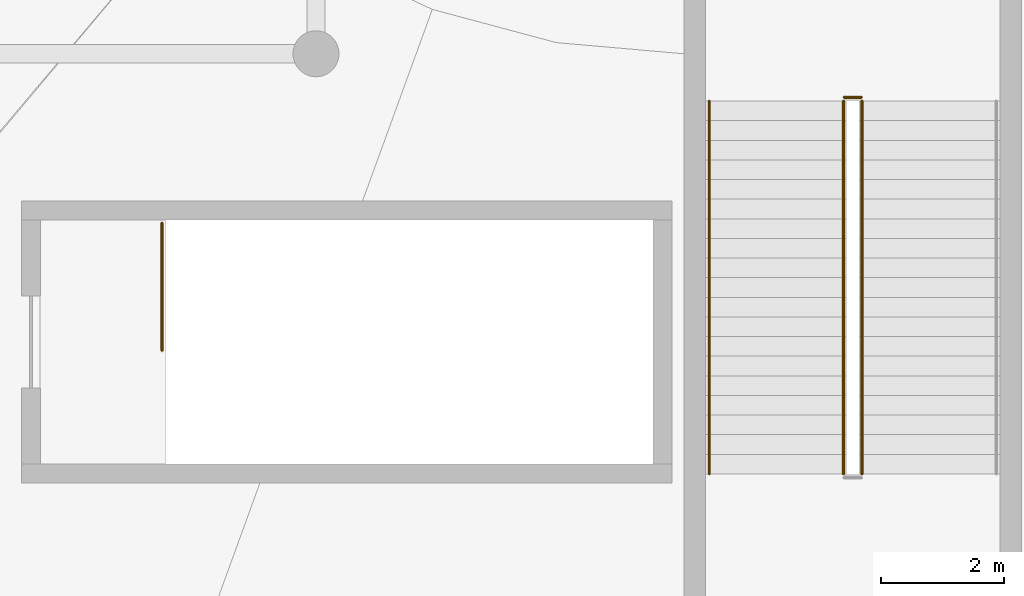
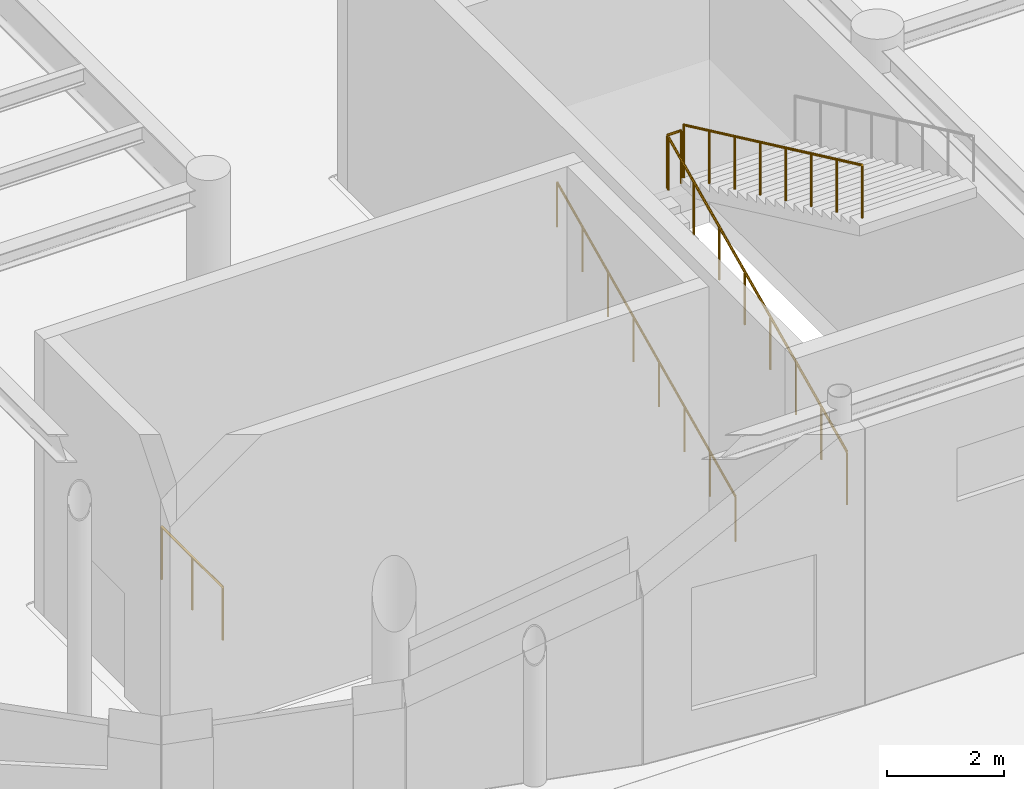
# One storey, part 104 of 118: 5 railings, 1 element without a shape of its own.
"""IFC4 building model written with IfcOpenShell, lengths in metres."""

from ifc_helpers import new_model, si_unit, direction, frame, origin, origin_2d, place, context, subcontext, project, spatial, circle, extrude, material, type_object, element, aggregate, save


model = new_model("IFC4")

# Units and contexts
model_context = context("Model", 3, precision=1e-05, world=origin(), true_north=direction((0.0, 1.0)))
body_context = subcontext(model_context, "Body", "Model", "MODEL_VIEW")
ifc_project = project(units=[si_unit("LENGTHUNIT", "METRE"), si_unit("AREAUNIT", "SQUARE_METRE"), si_unit("VOLUMEUNIT", "CUBIC_METRE"), si_unit("PLANEANGLEUNIT", "RADIAN"), si_unit("MASSUNIT", "GRAM", prefix="KILO")], contexts=[model_context])

# Site, building, storey
site_placement = place(None, origin())
site = spatial("IfcSite", under=ifc_project, at=site_placement, CompositionType="ELEMENT")
building_placement = place(site_placement, origin())
building = spatial("IfcBuilding", under=site, at=building_placement, Name="Kolvaren Corner Interchange", CompositionType="ELEMENT")
storey_placement = place(building_placement, origin())
storey = spatial("IfcBuildingStorey", under=building, at=storey_placement, Name="L01", CompositionType="ELEMENT", Elevation=0.0)

# Stair, railings
ifc_material_1 = material(Name="Concrete C35/45", Category="concrete")
stair_type = type_object("IfcStairType", Name="ST-TR-2300", PredefinedType="HALF_TURN_STAIR", material=ifc_material_1)
stair_placement = place(storey_placement, origin())
stair = element("IfcStair", 1, at=stair_placement, inside=storey, type_object=stair_type, Name="Core C3 West Concourse Transfer Stair L01 to L02 Stair", PredefinedType="HALF_TURN_STAIR")
ifc_material_2 = material(Name="Powder-Coated Steel Stairwell Guardrail", Category="steel")
railing_type_1 = type_object("IfcRailingType", Name="RLT-STAIR-GRD1120", PredefinedType="GUARDRAIL", material=ifc_material_2)
railing_1_placement = place(storey_placement, frame((62.60009765625, 29.14990234375, 0.14990234375)))
railing_1 = element("IfcRailing", 2, at=railing_1_placement, type_object=railing_type_1, Name="Core C3 West Concourse Transfer Stair L01 Lower Flight Well Guardrail", PredefinedType="GUARDRAIL", context=body_context, shape_type="SweptSolid", body=[
    extrude(circle(Radius=0.02392578125, at=origin_2d()), frame((0.0, 0.0, 1.09619140625), z_axis=(0.0, 0.905455442782, 0.424441328262), x_axis=(-1.0, 0.0, 0.0)), (0.0, 0.0, 1.0), 6.71484375),
    extrude(circle(Radius=0.02001953125, at=origin_2d()), origin(), (0.0, 0.0, 1.0), 1.072021484375),
    extrude(circle(Radius=0.02001953125, at=origin_2d()), frame((0.0, 0.86865234375, 0.4072265625)), (0.0, 0.0, 1.0), 1.072021484375),
    extrude(circle(Radius=0.02001953125, at=origin_2d()), frame((0.0, 1.737060546875, 0.814208984375)), (0.0, 0.0, 1.0), 1.072021484375),
    extrude(circle(Radius=0.02001953125, at=origin_2d()), frame((0.0, 2.605712890625, 1.221435546875)), (0.0, 0.0, 1.0), 1.072021484375),
    extrude(circle(Radius=0.02001953125, at=origin_2d()), frame((0.0, 3.474365234375, 1.628662109375)), (0.0, 0.0, 1.0), 1.072021484375),
    extrude(circle(Radius=0.02001953125, at=origin_2d()), frame((0.0, 4.343017578125, 2.035888671875)), (0.0, 0.0, 1.0), 1.072021484375),
    extrude(circle(Radius=0.02001953125, at=origin_2d()), frame((0.0, 5.21142578125, 2.44287109375)), (0.0, 0.0, 1.0), 1.072021484375),
    extrude(circle(Radius=0.02001953125, at=origin_2d()), frame((0.0, 6.080078125, 2.85009765625)), (0.0, 0.0, 1.0), 1.072021484375),
])
railing_2_placement = place(storey_placement, frame((62.610107421875, 35.2900390625, 3.0)))
railing_2 = element("IfcRailing", 3, at=railing_2_placement, type_object=railing_type_1, Name="Core C3 West Concourse Transfer Stair L01 Half Landing Well Guardrail", PredefinedType="GUARDRAIL", context=body_context, shape_type="SweptSolid", body=[
    extrude(circle(Radius=0.02392578125, at=origin_2d()), frame((0.0, 0.0, 1.09619140625), z_axis=(1.0, 0.0, 0.0), x_axis=(0.0, 1.0, 0.0)), (0.0, 0.0, 1.0), 0.27978515625),
    extrude(circle(Radius=0.02001953125, at=origin_2d()), origin(), (0.0, 0.0, 1.0), 1.072021484375),
    extrude(circle(Radius=0.02001953125, at=origin_2d()), frame((0.27978515625, 0.0, 0.0)), (0.0, 0.0, 1.0), 1.072021484375),
])
railing_3_placement = place(storey_placement, frame((62.89990234375, 35.22998046875, 3.14990234375)))
railing_3 = element("IfcRailing", 4, at=railing_3_placement, type_object=railing_type_1, Name="Core C3 West Concourse Transfer Stair L01 Upper Flight Well Guardrail", PredefinedType="GUARDRAIL", context=body_context, shape_type="SweptSolid", body=[
    extrude(circle(Radius=0.02392578125, at=origin_2d()), frame((0.0, 0.0, 1.09619140625), z_axis=(0.0, -0.905455442782, 0.424441328262), x_axis=(1.0, 0.0, 0.0)), (0.0, 0.0, 1.0), 6.71484375),
    extrude(circle(Radius=0.02001953125, at=origin_2d()), origin(), (0.0, 0.0, 1.0), 1.072021484375),
    extrude(circle(Radius=0.02001953125, at=origin_2d()), frame((0.0, -0.86865234375, 0.4072265625)), (0.0, 0.0, 1.0), 1.072021484375),
    extrude(circle(Radius=0.02001953125, at=origin_2d()), frame((0.0, -1.737060546875, 0.814208984375)), (0.0, 0.0, 1.0), 1.072021484375),
    extrude(circle(Radius=0.02001953125, at=origin_2d()), frame((0.0, -2.605712890625, 1.221435546875)), (0.0, 0.0, 1.0), 1.072021484375),
    extrude(circle(Radius=0.02001953125, at=origin_2d()), frame((0.0, -3.474365234375, 1.628662109375)), (0.0, 0.0, 1.0), 1.072021484375),
    extrude(circle(Radius=0.02001953125, at=origin_2d()), frame((0.0, -4.343017578125, 2.035888671875)), (0.0, 0.0, 1.0), 1.072021484375),
    extrude(circle(Radius=0.02001953125, at=origin_2d()), frame((0.0, -5.21142578125, 2.44287109375)), (0.0, 0.0, 1.0), 1.072021484375),
    extrude(circle(Radius=0.02001953125, at=origin_2d()), frame((0.0, -6.080078125, 2.85009765625)), (0.0, 0.0, 1.0), 1.072021484375),
])

# Railing
railing_4_placement = place(storey_placement, frame((51.489990234375, 33.239990234375, 0.0)))
element("IfcRailing", 5, at=railing_4_placement, inside=storey, type_object=railing_type_1, Name="Metro West Plant and Gateline Exit Stair L01 Landing Edge Guardrail", PredefinedType="GUARDRAIL", context=body_context, shape_type="SweptSolid", body=[
    extrude(circle(Radius=0.02392578125, at=origin_2d()), frame((0.0, 0.0, 1.09619140625), z_axis=(0.0, -1.0, 0.0), x_axis=(1.0, 0.0, 0.0)), (0.0, 0.0, 1.0), 2.080078125),
    extrude(circle(Radius=0.02001953125, at=origin_2d()), origin(), (0.0, 0.0, 1.0), 1.072021484375),
    extrude(circle(Radius=0.02001953125, at=origin_2d()), frame((0.0, -1.0400390625, 0.0)), (0.0, 0.0, 1.0), 1.072021484375),
    extrude(circle(Radius=0.02001953125, at=origin_2d()), frame((0.0, -2.080078125, 0.0)), (0.0, 0.0, 1.0), 1.072021484375),
])

ifc_material_3 = material(Name="Brushed Stainless Steel Stair Handrail", Category="steel")
railing_type_2 = type_object("IfcRailingType", Name="RLT-STAIR-HR950", PredefinedType="HANDRAIL", material=ifc_material_3)
railing_5_placement = place(storey_placement, frame((60.409912109375, 29.14990234375, 0.14990234375)))
railing_5 = element("IfcRailing", 6, at=railing_5_placement, type_object=railing_type_2, Name="Core C3 West Concourse Transfer Stair L01 Lower Flight Wall Handrail", PredefinedType="HANDRAIL", context=body_context, shape_type="SweptSolid", body=[
    extrude(circle(Radius=0.02197265625, at=origin_2d()), frame((0.0, 0.0, 0.927978515625), z_axis=(0.0, 0.905455442782, 0.424441328262), x_axis=(-1.0, 0.0, 0.0)), (0.0, 0.0, 1.0), 6.71484375),
    extrude(circle(Radius=0.01806640625, at=origin_2d()), origin(), (0.0, 0.0, 1.0), 0.906005859375),
    extrude(circle(Radius=0.01806640625, at=origin_2d()), frame((0.0, 0.86865234375, 0.4072265625)), (0.0, 0.0, 1.0), 0.906005859375),
    extrude(circle(Radius=0.01806640625, at=origin_2d()), frame((0.0, 1.737060546875, 0.814208984375)), (0.0, 0.0, 1.0), 0.906005859375),
    extrude(circle(Radius=0.01806640625, at=origin_2d()), frame((0.0, 2.605712890625, 1.221435546875)), (0.0, 0.0, 1.0), 0.906005859375),
    extrude(circle(Radius=0.01806640625, at=origin_2d()), frame((0.0, 3.474365234375, 1.628662109375)), (0.0, 0.0, 1.0), 0.906005859375),
    extrude(circle(Radius=0.01806640625, at=origin_2d()), frame((0.0, 4.343017578125, 2.035888671875)), (0.0, 0.0, 1.0), 0.906005859375),
    extrude(circle(Radius=0.01806640625, at=origin_2d()), frame((0.0, 5.21142578125, 2.44287109375)), (0.0, 0.0, 1.0), 0.906005859375),
    extrude(circle(Radius=0.01806640625, at=origin_2d()), frame((0.0, 6.080078125, 2.85009765625)), (0.0, 0.0, 1.0), 0.906005859375),
])

aggregate(stair, [railing_1, railing_2, railing_3, railing_5])

save(model, "model.ifc")
